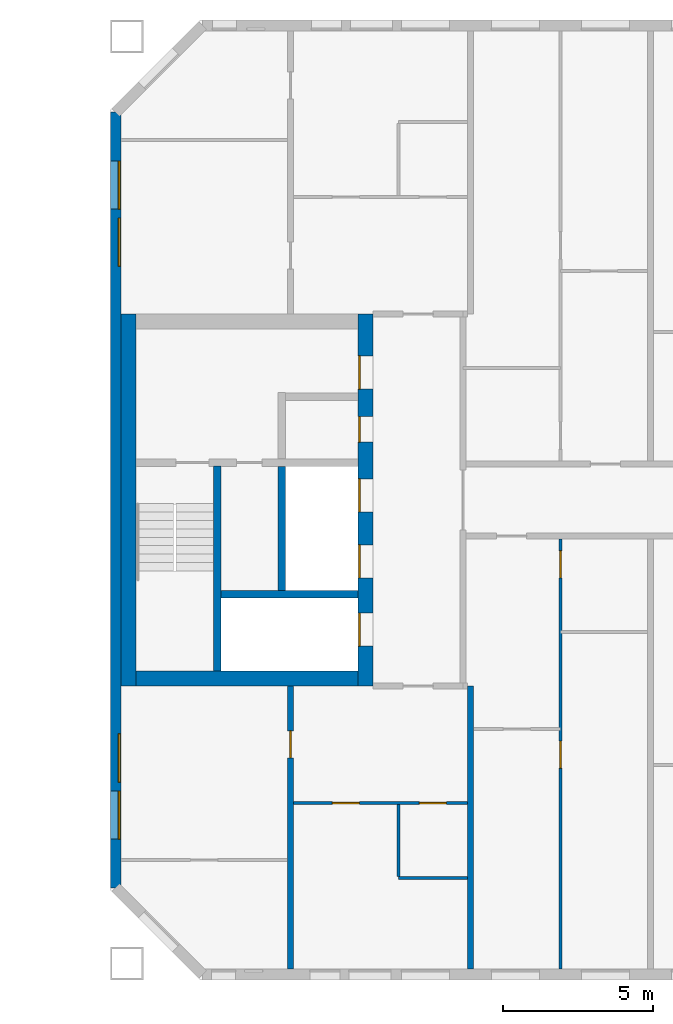
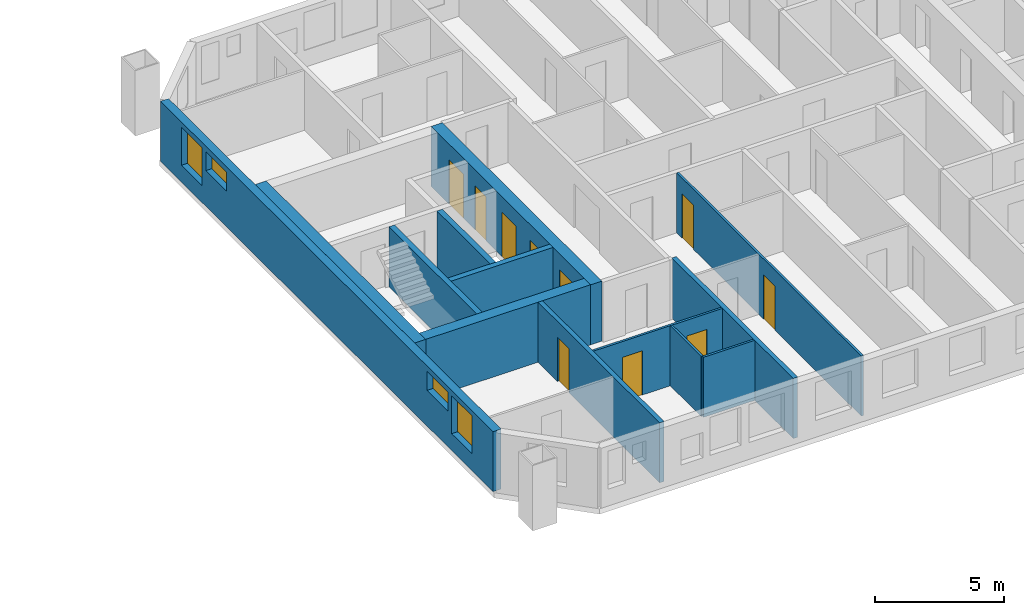
# One storey, part 9 of 16: 13 walls, 10 doors, 4 windows, 14 openings.
"""IFC4 building model written with IfcOpenShell, lengths in metres."""

import ifcopenshell
import ifcopenshell.guid

model = None  # the IFC model being written
_history = None  # IfcOwnerHistory: only IFC2X3 demands one
_inside = {}  # id of a spatial element -> (the spatial element, [elements in it])
_under = {}  # id of a project, library or spatial element -> (it, [spatial elements below it])
_declared = {}  # id of a project -> (the project, [libraries it declares])
_typed = {}  # id of a type object -> (the type object, [elements of that type])
_made_of = {}  # id of a material, layer set ... -> (it, [elements and type objects made of it])


def new_model(schema):
    """Start an empty IFC model of exactly this schema.

    Asked for "IFC4X3", IfcOpenShell would pick the latest addendum, in which some entities
    have other attributes; the version numbers below select the first issue.
    IFC2X3 requires an IfcOwnerHistory on every rooted entity: one is made here for all.
    """
    global model, _history
    if schema == "IFC4X3":
        model = ifcopenshell.file(schema_version=(4, 3, 0, 0))
    else:
        model = ifcopenshell.file(schema=schema)
    _inside.clear()
    _under.clear()
    _declared.clear()
    _typed.clear()
    _made_of.clear()
    _history = None
    if model.schema == "IFC2X3":
        org = make("IfcOrganization", Name="unknown")
        user = make(
            "IfcPersonAndOrganization",
            ThePerson=make("IfcPerson", FamilyName="unknown"),
            TheOrganization=org,
        )
        app = make(
            "IfcApplication",
            ApplicationDeveloper=org,
            Version="unknown",
            ApplicationFullName="unknown",
            ApplicationIdentifier="unknown",
        )
        _history = make(
            "IfcOwnerHistory",
            OwningUser=user,
            OwningApplication=app,
            ChangeAction="ADDED",
            CreationDate=0,
        )
    return model


def make(cls, **values):
    """One entity of the class cls with the attributes given. An attribute that is None is left unset."""
    return model.create_entity(
        cls, **{name: value for name, value in values.items() if value is not None}
    )


def rooted(cls, **values):
    """An entity with a GlobalId (a new one), such as an element, a storey or a relation."""
    return make(cls, GlobalId=ifcopenshell.guid.new(), OwnerHistory=_history, **values)


def si_unit(unit_type, name, prefix=None):
    """IfcSIUnit, for example si_unit("LENGTHUNIT", "METRE", prefix="MILLI")."""
    return make("IfcSIUnit", UnitType=unit_type, Prefix=prefix, Name=name)


def assignment(units):
    """IfcUnitAssignment: the units of a project."""
    return None if units is None else make("IfcUnitAssignment", Units=units)


def point(xyz):
    """IfcCartesianPoint."""
    return None if xyz is None else make("IfcCartesianPoint", Coordinates=xyz)


def direction(xyz):
    """IfcDirection."""
    return None if xyz is None else make("IfcDirection", DirectionRatios=xyz)


def frame(location, z_axis=None, x_axis=None):
    """IfcAxis2Placement3D, a coordinate frame: its origin and axes. An axis left out is left unset."""
    return make(
        "IfcAxis2Placement3D",
        Location=point(location),
        Axis=direction(z_axis),
        RefDirection=direction(x_axis),
    )


def frame_2d(location, x_axis=None):
    """IfcAxis2Placement2D, a coordinate frame in the plane: its origin and x axis."""
    return make(
        "IfcAxis2Placement2D", Location=point(location), RefDirection=direction(x_axis)
    )


def origin():
    """The frame at (0, 0, 0) with its axes left unset."""
    return frame((0.0, 0.0, 0.0))


def place(relative_to, where):
    """IfcLocalPlacement: puts the frame where relative to a parent placement (None: the world)."""
    return make(
        "IfcLocalPlacement", PlacementRelTo=relative_to, RelativePlacement=where
    )


def context(
    kind, dimensions, precision=None, world=None, true_north=None, identifier=None
):
    """IfcGeometricRepresentationContext, for example the 3D "Model" context."""
    return make(
        "IfcGeometricRepresentationContext",
        ContextIdentifier=identifier,
        ContextType=kind,
        CoordinateSpaceDimension=dimensions,
        Precision=precision,
        WorldCoordinateSystem=world,
        TrueNorth=true_north,
    )


def subcontext(parent, identifier, kind, view, scale=None):
    """IfcGeometricRepresentationSubContext, for example "Body" below "Model"."""
    return make(
        "IfcGeometricRepresentationSubContext",
        ContextIdentifier=identifier,
        ContextType=kind,
        ParentContext=parent,
        TargetScale=scale,
        TargetView=view,
    )


def project(units=None, contexts=None):
    """IfcProject with its units and contexts."""
    return rooted(
        "IfcProject",
        Name="project",
        RepresentationContexts=contexts,
        UnitsInContext=assignment(units),
    )


def spatial(cls, under=None, at=None, **own):
    """A site, building, storey or space (cls), placed at a placement, below another one or the project."""
    s = rooted(cls, ObjectPlacement=at, **own)
    if under is not None:
        _under.setdefault(under.id(), (under, []))[1].append(s)
    return s


def profile(cls, at=None, kind="AREA", **sizes):
    """A parametric profile (cls). Its sizes go by their IFC names, for example OverallWidth=200.0."""
    return make(cls, ProfileType=kind, Position=at, **sizes)


def rectangle(**sizes):
    """IfcRectangleProfileDef."""
    return profile("IfcRectangleProfileDef", **sizes)


def extrude(swept, where, along, depth):
    """IfcExtrudedAreaSolid: the profile swept, set in the frame where, extruded along a direction by depth."""
    return make(
        "IfcExtrudedAreaSolid",
        SweptArea=swept,
        Position=where,
        ExtrudedDirection=direction(along),
        Depth=depth,
    )


def shape(context_of_items, identifier, shape_type, items):
    """IfcShapeRepresentation: the items that make up one representation, for example the "Body"."""
    return make(
        "IfcShapeRepresentation",
        ContextOfItems=context_of_items,
        RepresentationIdentifier=identifier,
        RepresentationType=shape_type,
        Items=items,
    )


def material(Name=None, Category=None):
    """IfcMaterial."""
    return make("IfcMaterial", Name=Name, Category=Category)


def layer(
    of_material, thickness, ventilated=None, Name=None, Category=None, Priority=None
):
    """IfcMaterialLayer: one layer of a wall or slab, of a material (None: an air gap)."""
    return make(
        "IfcMaterialLayer",
        Material=of_material,
        LayerThickness=thickness,
        IsVentilated=ventilated,
        Name=Name,
        Category=Category,
        Priority=Priority,
    )


def layer_set(layers, Name=None):
    """IfcMaterialLayerSet."""
    return make("IfcMaterialLayerSet", MaterialLayers=layers, LayerSetName=Name)


def made_of(thing, what):
    """Note that an element or type object is made of a material, layer set ...; save() writes the relation."""
    if what is not None:
        _made_of.setdefault(what.id(), (what, []))[1].append(thing)
    return thing


def type_object(cls, material=None, **own):
    """A type object (cls), such as IfcWallType, which elements share."""
    return made_of(rooted(cls, **own), material)


def element(
    cls,
    number,
    at=None,
    inside=None,
    cuts=None,
    type_object=None,
    material=None,
    context=None,
    identifier="Body",
    shape_type=None,
    held_by="IfcProductDefinitionShape",
    body=None,
    shapes=None,
    **own,
):
    """One element of the class cls, such as IfcWall. Its Tag is "e" and its number.

    at: its placement. inside: the storey or other place that contains it. cuts: it is an
    opening in that element (IfcRelVoidsElement). A single representation is given by context,
    identifier, shape_type and body (its items); several are given by shapes. held_by: the class
    of the entity that holds the representations. save() writes the other relations.
    """
    e = rooted(cls, Tag="e%d" % number, ObjectPlacement=at, **own)
    if body is not None:
        shapes = [shape(context, identifier, shape_type, body)]
    if shapes is not None:
        e.Representation = make(held_by, Representations=shapes)
    if inside is not None:
        _inside.setdefault(inside.id(), (inside, []))[1].append(e)
    if cuts is not None:
        rooted(
            "IfcRelVoidsElement", RelatingBuildingElement=cuts, RelatedOpeningElement=e
        )
    if type_object is not None:
        _typed.setdefault(type_object.id(), (type_object, []))[1].append(e)
    return made_of(e, material)


def fill(opening, filler):
    """IfcRelFillsElement: the door or window that sits in an opening."""
    return rooted(
        "IfcRelFillsElement",
        RelatingOpeningElement=opening,
        RelatedBuildingElement=filler,
    )


def aggregate(whole, parts):
    """IfcRelAggregates: a whole, such as a stair, and the parts it consists of."""
    return rooted("IfcRelAggregates", RelatingObject=whole, RelatedObjects=parts)


def save(model, path):
    """Write the relations noted so far, then the file.

    IfcRelAggregates (storeys below a building ...), IfcRelContainedInSpatialStructure (elements
    in a storey), IfcRelDefinesByType, IfcRelAssociatesMaterial and IfcRelDeclares: one each for
    every whole, place, type object, material and project.
    """
    for whole, parts in _under.values():
        aggregate(whole, parts)
    for where, things in _inside.values():
        rooted(
            "IfcRelContainedInSpatialStructure",
            RelatedElements=things,
            RelatingStructure=where,
        )
    for kind, things in _typed.values():
        rooted("IfcRelDefinesByType", RelatedObjects=things, RelatingType=kind)
    for what, things in _made_of.values():
        rooted("IfcRelAssociatesMaterial", RelatedObjects=things, RelatingMaterial=what)
    for by, libraries in _declared.values():
        rooted("IfcRelDeclares", RelatingContext=by, RelatedDefinitions=libraries)
    model.write(path)


model = new_model("IFC4")

# Units and contexts
model_context = context("Model", 3, precision=1e-05, world=origin(), true_north=direction((0.0, 1.0)))
body_context = subcontext(model_context, "Body", "Model", "MODEL_VIEW")
ifc_project = project(units=[si_unit("LENGTHUNIT", "METRE"), si_unit("AREAUNIT", "SQUARE_METRE"), si_unit("VOLUMEUNIT", "CUBIC_METRE"), si_unit("PLANEANGLEUNIT", "RADIAN"), si_unit("MASSUNIT", "GRAM", prefix="KILO")], contexts=[model_context])

# Site, building, storey
site_placement = place(None, origin())
site = spatial("IfcSite", under=ifc_project, at=site_placement, CompositionType="ELEMENT")
building_placement = place(site_placement, origin())
building = spatial("IfcBuilding", under=site, at=building_placement, Name="Tuart Gate Housing", CompositionType="ELEMENT")
storey_placement = place(building_placement, frame((0.0, 0.0, 151.60009765625)))
storey = spatial("IfcBuildingStorey", under=building, at=storey_placement, Name="L42", CompositionType="ELEMENT", Elevation=151.60009765625)

# Wall, openings, windows
ifc_material_1 = material(Name="Brick", Category="masonry")
ifc_layer_1 = layer(ifc_material_1, 0.360107421875)
ifc_layer_set_1 = layer_set([ifc_layer_1], Name="Brick pier and spandrel wall 360")
wall_type_1 = type_object("IfcWallType", Name="Brick pier and spandrel wall 360", PredefinedType="STANDARD", material=ifc_layer_set_1)
wall_1_placement = place(storey_placement, frame((131.179931640625, 82.92529296875, 0.0), z_axis=(0.0, 0.0, 1.0), x_axis=(0.0, -1.0, 0.0)))
wall_1 = element("IfcWall", 1, at=wall_1_placement, inside=storey, type_object=wall_type_1, Name="External wall B-W L42", PredefinedType="STANDARD", context=body_context, shape_type="SweptSolid", body=[
    extrude(rectangle(XDim=25.850830078125, YDim=0.360107421875, at=frame_2d((12.92529296875, 0.0))), origin(), (0.0, 0.0, 1.0), 2.849853515625),
])
opening_1_placement = place(wall_1_placement, frame((1.62548828125, 0.0, 0.800048828125)))
opening_1 = element("IfcOpeningElement", 2, at=opening_1_placement, cuts=wall_1, Name="Opening W1", PredefinedType="OPENING", context=body_context, shape_type="SweptSolid", body=[
    extrude(rectangle(XDim=1.60009765625, YDim=1.800048828125, at=frame_2d((0.800048828125, 0.89990234375))), frame((0.0, 0.18994140625, 0.0), z_axis=(0.0, -1.0, 0.0), x_axis=(1.0, 0.0, 0.0)), (0.0, 0.0, 1.0), 0.380126953125),
])
opening_2_placement = place(wall_1_placement, frame((3.525390625, 0.0, 1.699951171875)))
opening_2 = element("IfcOpeningElement", 3, at=opening_2_placement, cuts=wall_1, Name="Opening W1R", PredefinedType="OPENING", context=body_context, shape_type="SweptSolid", body=[
    extrude(rectangle(XDim=1.60009765625, YDim=0.89990234375, at=frame_2d((0.800048828125, 0.449951171875))), frame((0.0, 0.18994140625, 0.0), z_axis=(0.0, -1.0, 0.0), x_axis=(1.0, 0.0, 0.0)), (0.0, 0.0, 1.0), 0.380126953125),
])
opening_3_placement = place(wall_1_placement, frame((20.725341796875, 0.0, 1.699951171875)))
opening_3 = element("IfcOpeningElement", 4, at=opening_3_placement, cuts=wall_1, Name="Opening W1R", PredefinedType="OPENING", context=body_context, shape_type="SweptSolid", body=[
    extrude(rectangle(XDim=1.60009765625, YDim=0.89990234375, at=frame_2d((0.800048828125, 0.449951171875))), frame((0.0, 0.18994140625, 0.0), z_axis=(0.0, -1.0, 0.0), x_axis=(1.0, 0.0, 0.0)), (0.0, 0.0, 1.0), 0.380126953125),
])
opening_4_placement = place(wall_1_placement, frame((22.62548828125, 0.0, 0.800048828125)))
opening_4 = element("IfcOpeningElement", 5, at=opening_4_placement, cuts=wall_1, Name="Opening W1", PredefinedType="OPENING", context=body_context, shape_type="SweptSolid", body=[
    extrude(rectangle(XDim=1.60009765625, YDim=1.800048828125, at=frame_2d((0.800048828125, 0.89990234375))), frame((0.0, 0.18994140625, 0.0), z_axis=(0.0, -1.0, 0.0), x_axis=(1.0, 0.0, 0.0)), (0.0, 0.0, 1.0), 0.380126953125),
])
ifc_material_2 = material(Name="Aluminium frame with clear glass", Category="aluminium")
window_type_1 = type_object("IfcWindowType", Name="Punched window 1600 x 1800", PartitioningType="SINGLE_PANEL", PredefinedType="WINDOW", material=ifc_material_2)
window_1_placement = place(opening_1_placement, origin())
window_1 = element("IfcWindow", 6, at=window_1_placement, inside=storey, type_object=window_type_1, Name="Window W1", OverallHeight=1.800048828125, OverallWidth=1.60009765625, PartitioningType="SINGLE_PANEL", PredefinedType="WINDOW", context=body_context, shape_type="SweptSolid", body=[
    extrude(rectangle(XDim=1.60009765625, YDim=1.800048828125, at=frame_2d((0.800048828125, 0.89990234375))), frame((0.0, 0.150146484375, 0.0), z_axis=(0.0, -1.0, 0.0), x_axis=(1.0, 0.0, 0.0)), (0.0, 0.0, 1.0), 0.06005859375),
])
fill(opening_1, window_1)
window_2_placement = place(opening_4_placement, origin())
window_2 = element("IfcWindow", 7, at=window_2_placement, inside=storey, type_object=window_type_1, Name="Window W1", OverallHeight=1.800048828125, OverallWidth=1.60009765625, PartitioningType="SINGLE_PANEL", PredefinedType="WINDOW", context=body_context, shape_type="SweptSolid", body=[
    extrude(rectangle(XDim=1.60009765625, YDim=1.800048828125, at=frame_2d((0.800048828125, 0.89990234375))), frame((0.0, 0.150146484375, 0.0), z_axis=(0.0, -1.0, 0.0), x_axis=(1.0, 0.0, 0.0)), (0.0, 0.0, 1.0), 0.06005859375),
])
fill(opening_4, window_2)
ifc_material_3 = material(Name="Aluminium frame with clear glass", Category="aluminium")
window_type_2 = type_object("IfcWindowType", Name="Punched window 1600 x 900", PartitioningType="SINGLE_PANEL", PredefinedType="WINDOW", material=ifc_material_3)
window_3_placement = place(opening_2_placement, origin())
window_3 = element("IfcWindow", 8, at=window_3_placement, inside=storey, type_object=window_type_2, Name="Window W1R", OverallHeight=0.89990234375, OverallWidth=1.60009765625, PartitioningType="SINGLE_PANEL", PredefinedType="WINDOW", context=body_context, shape_type="SweptSolid", body=[
    extrude(rectangle(XDim=1.60009765625, YDim=0.89990234375, at=frame_2d((0.800048828125, 0.449951171875))), frame((0.0, 0.150146484375, 0.0), z_axis=(0.0, -1.0, 0.0), x_axis=(1.0, 0.0, 0.0)), (0.0, 0.0, 1.0), 0.06005859375),
])
fill(opening_2, window_3)
window_4_placement = place(opening_3_placement, origin())
window_4 = element("IfcWindow", 9, at=window_4_placement, inside=storey, type_object=window_type_2, Name="Window W1R", OverallHeight=0.89990234375, OverallWidth=1.60009765625, PartitioningType="SINGLE_PANEL", PredefinedType="WINDOW", context=body_context, shape_type="SweptSolid", body=[
    extrude(rectangle(XDim=1.60009765625, YDim=0.89990234375, at=frame_2d((0.800048828125, 0.449951171875))), frame((0.0, 0.150146484375, 0.0), z_axis=(0.0, -1.0, 0.0), x_axis=(1.0, 0.0, 0.0)), (0.0, 0.0, 1.0), 0.06005859375),
])
fill(opening_3, window_4)

# Walls
ifc_material_4 = material(Name="Concrete C40", Category="concrete")
ifc_layer_2 = layer(ifc_material_4, 0.25)
ifc_layer_set_2 = layer_set([ifc_layer_2], Name="Core wall 250 C40")
wall_type_2 = type_object("IfcWallType", Name="Core wall 250 C40", PredefinedType="SHEAR", material=ifc_layer_set_2)
wall_2_placement = place(storey_placement, frame((139.260009765625, 66.85009765625, 0.0), z_axis=(0.0, 0.0, 1.0), x_axis=(-1.0, 0.0, 0.0)))
element("IfcWall", 10, at=wall_2_placement, inside=storey, type_object=wall_type_2, Name="Core wall BG.1", PredefinedType="SHEAR", context=body_context, shape_type="SweptSolid", body=[
    extrude(rectangle(XDim=4.574951171875, YDim=0.25, at=frame_2d((2.28759765625, 0.0))), origin(), (0.0, 0.0, 1.0), 2.849853515625),
])
wall_3_placement = place(storey_placement, frame((136.7099609375, 66.97509765625, 0.0), z_axis=(0.0, 0.0, 1.0), x_axis=(0.0, 1.0, 0.0)))
element("IfcWall", 11, at=wall_3_placement, inside=storey, type_object=wall_type_2, Name="Core wall BG.4", PredefinedType="SHEAR", context=body_context, shape_type="SweptSolid", body=[
    extrude(rectangle(XDim=4.14990234375, YDim=0.25, at=frame_2d((2.074951171875, 0.0))), origin(), (0.0, 0.0, 1.0), 2.849853515625),
])
wall_4_placement = place(storey_placement, frame((134.56005859375, 64.300048828125, 0.0), z_axis=(0.0, 0.0, 1.0), x_axis=(0.0, 1.0, 0.0)))
element("IfcWall", 12, at=wall_4_placement, inside=storey, type_object=wall_type_2, Name="Core wall BG.6", PredefinedType="SHEAR", context=body_context, shape_type="SweptSolid", body=[
    extrude(rectangle(XDim=6.824951171875, YDim=0.25, at=frame_2d((3.41259765625, 0.0))), origin(), (0.0, 0.0, 1.0), 2.849853515625),
])

# Wall, openings, doors
ifc_material_5 = material(Name="Concrete C40", Category="concrete")
ifc_layer_3 = layer(ifc_material_5, 0.5)
ifc_layer_set_3 = layer_set([ifc_layer_3], Name="Core wall 500 C40")
wall_type_3 = type_object("IfcWallType", Name="Core wall 500 C40", PredefinedType="SHEAR", material=ifc_layer_set_3)
wall_5_placement = place(storey_placement, frame((139.510009765625, 63.800048828125, 0.0), z_axis=(0.0, 0.0, 1.0), x_axis=(0.0, 1.0, 0.0)))
wall_5 = element("IfcWall", 13, at=wall_5_placement, inside=storey, type_object=wall_type_3, Name="Core wall BG front", PredefinedType="SHEAR", context=body_context, shape_type="SweptSolid", body=[
    extrude(rectangle(XDim=12.39990234375, YDim=0.5, at=frame_2d((6.199951171875, 0.0))), origin(), (0.0, 0.0, 1.0), 2.849853515625),
])
opening_5_placement = place(wall_5_placement, frame((1.324951171875, 0.0, 0.0)))
opening_5 = element("IfcOpeningElement", 14, at=opening_5_placement, cuts=wall_5, Name="Opening LD-FB1", PredefinedType="OPENING", context=body_context, shape_type="SweptSolid", body=[
    extrude(rectangle(XDim=1.10009765625, YDim=2.10009765625, at=frame_2d((0.550048828125, 1.050048828125))), frame((0.0, 0.260009765625, 0.0), z_axis=(0.0, -1.0, 0.0), x_axis=(1.0, 0.0, 0.0)), (0.0, 0.0, 1.0), 0.52001953125),
])
opening_6_placement = place(wall_5_placement, frame((3.60009765625, 0.0, 0.0)))
opening_6 = element("IfcOpeningElement", 15, at=opening_6_placement, cuts=wall_5, Name="Opening LD-LB1", PredefinedType="OPENING", context=body_context, shape_type="SweptSolid", body=[
    extrude(rectangle(XDim=1.10009765625, YDim=2.10009765625, at=frame_2d((0.550048828125, 1.050048828125))), frame((0.0, 0.260009765625, 0.0), z_axis=(0.0, -1.0, 0.0), x_axis=(1.0, 0.0, 0.0)), (0.0, 0.0, 1.0), 0.52001953125),
])
opening_7_placement = place(wall_5_placement, frame((5.800048828125, 0.0, 0.0)))
opening_7 = element("IfcOpeningElement", 16, at=opening_7_placement, cuts=wall_5, Name="Opening LD-LB2", PredefinedType="OPENING", context=body_context, shape_type="SweptSolid", body=[
    extrude(rectangle(XDim=1.10009765625, YDim=2.10009765625, at=frame_2d((0.550048828125, 1.050048828125))), frame((0.0, 0.260009765625, 0.0), z_axis=(0.0, -1.0, 0.0), x_axis=(1.0, 0.0, 0.0)), (0.0, 0.0, 1.0), 0.52001953125),
])
opening_8_placement = place(wall_5_placement, frame((9.89990234375, 0.0, 0.0)))
opening_8 = element("IfcOpeningElement", 17, at=opening_8_placement, cuts=wall_5, Name="Opening D1594", PredefinedType="OPENING", context=body_context, shape_type="SweptSolid", body=[
    extrude(rectangle(XDim=1.10009765625, YDim=2.10009765625, at=frame_2d((0.550048828125, 1.050048828125))), frame((0.0, 0.260009765625, 0.0), z_axis=(0.0, -1.0, 0.0), x_axis=(1.0, 0.0, 0.0)), (0.0, 0.0, 1.0), 0.52001953125),
])
opening_9_placement = place(wall_5_placement, frame((8.125, 0.0, 0.0)))
opening_9 = element("IfcOpeningElement", 18, at=opening_9_placement, cuts=wall_5, Name="Opening D1595", PredefinedType="OPENING", context=body_context, shape_type="SweptSolid", body=[
    extrude(rectangle(XDim=0.85009765625, YDim=2.10009765625, at=frame_2d((0.425048828125, 1.050048828125))), frame((0.0, 0.260009765625, 0.0), z_axis=(0.0, -1.0, 0.0), x_axis=(1.0, 0.0, 0.0)), (0.0, 0.0, 1.0), 0.52001953125),
])
ifc_material_6 = material(Name="Stainless steel", Category="steel")
door_type_1 = type_object("IfcDoorType", Name="Landing door 1100 x 2100", OperationType="DOUBLE_DOOR_SLIDING", PredefinedType="DOOR", material=ifc_material_6)
door_1_placement = place(opening_5_placement, origin())
door_1 = element("IfcDoor", 19, at=door_1_placement, inside=storey, type_object=door_type_1, Name="Lift landing door FB1", OperationType="DOUBLE_DOOR_SLIDING", OverallHeight=2.10009765625, OverallWidth=1.10009765625, PredefinedType="DOOR", context=body_context, shape_type="SweptSolid", body=[
    extrude(rectangle(XDim=1.10009765625, YDim=2.10009765625, at=frame_2d((0.550048828125, 1.050048828125))), frame((0.0, 0.23486328125, 0.0), z_axis=(0.0, -1.0, 0.0), x_axis=(1.0, 0.0, 0.0)), (0.0, 0.0, 1.0), 0.050048828125),
])
fill(opening_5, door_1)
door_2_placement = place(opening_6_placement, origin())
door_2 = element("IfcDoor", 20, at=door_2_placement, inside=storey, type_object=door_type_1, Name="Lift landing door LB1", OperationType="DOUBLE_DOOR_SLIDING", OverallHeight=2.10009765625, OverallWidth=1.10009765625, PredefinedType="DOOR", context=body_context, shape_type="SweptSolid", body=[
    extrude(rectangle(XDim=1.10009765625, YDim=2.10009765625, at=frame_2d((0.550048828125, 1.050048828125))), frame((0.0, 0.23486328125, 0.0), z_axis=(0.0, -1.0, 0.0), x_axis=(1.0, 0.0, 0.0)), (0.0, 0.0, 1.0), 0.050048828125),
])
fill(opening_6, door_2)
door_3_placement = place(opening_7_placement, origin())
door_3 = element("IfcDoor", 21, at=door_3_placement, inside=storey, type_object=door_type_1, Name="Lift landing door LB2", OperationType="DOUBLE_DOOR_SLIDING", OverallHeight=2.10009765625, OverallWidth=1.10009765625, PredefinedType="DOOR", context=body_context, shape_type="SweptSolid", body=[
    extrude(rectangle(XDim=1.10009765625, YDim=2.10009765625, at=frame_2d((0.550048828125, 1.050048828125))), frame((0.0, 0.23486328125, 0.0), z_axis=(0.0, -1.0, 0.0), x_axis=(1.0, 0.0, 0.0)), (0.0, 0.0, 1.0), 0.050048828125),
])
fill(opening_7, door_3)
ifc_material_7 = material(Name="Steel fire door", Category="steel")
door_type_2 = type_object("IfcDoorType", Name="Lobby door 1100 x 2100", OperationType="SINGLE_SWING_LEFT", PredefinedType="DOOR", material=ifc_material_7)
door_4_placement = place(opening_8_placement, origin())
door_4 = element("IfcDoor", 22, at=door_4_placement, inside=storey, type_object=door_type_2, Name="Lobby entry door BG.EN", OperationType="SINGLE_SWING_LEFT", OverallHeight=2.10009765625, OverallWidth=1.10009765625, PredefinedType="DOOR", context=body_context, shape_type="SweptSolid", body=[
    extrude(rectangle(XDim=1.10009765625, YDim=2.10009765625, at=frame_2d((0.550048828125, 1.050048828125))), frame((0.0, 0.23486328125, 0.0), z_axis=(0.0, -1.0, 0.0), x_axis=(1.0, 0.0, 0.0)), (0.0, 0.0, 1.0), 0.050048828125),
])
fill(opening_8, door_4)
ifc_material_8 = material(Name="Steel fire door", Category="steel")
door_type_3 = type_object("IfcDoorType", Name="Service door 850 x 2100", OperationType="SINGLE_SWING_LEFT", PredefinedType="DOOR", material=ifc_material_8)
door_5_placement = place(opening_9_placement, origin())
door_5 = element("IfcDoor", 23, at=door_5_placement, inside=storey, type_object=door_type_3, Name="Service room door BG.T1", OperationType="SINGLE_SWING_LEFT", OverallHeight=2.10009765625, OverallWidth=0.85009765625, PredefinedType="DOOR", context=body_context, shape_type="SweptSolid", body=[
    extrude(rectangle(XDim=0.85009765625, YDim=2.10009765625, at=frame_2d((0.425048828125, 1.050048828125))), frame((0.0, 0.23486328125, 0.0), z_axis=(0.0, -1.0, 0.0), x_axis=(1.0, 0.0, 0.0)), (0.0, 0.0, 1.0), 0.050048828125),
])
fill(opening_9, door_5)

# Walls
wall_6_placement = place(storey_placement, frame((131.610107421875, 63.800048828125, 0.0), z_axis=(0.0, 0.0, 1.0), x_axis=(0.0, 1.0, 0.0)))
element("IfcWall", 24, at=wall_6_placement, inside=storey, type_object=wall_type_3, Name="Core wall BG back", PredefinedType="SHEAR", context=body_context, shape_type="SweptSolid", body=[
    extrude(rectangle(XDim=12.39990234375, YDim=0.5, at=frame_2d((6.199951171875, 0.0))), origin(), (0.0, 0.0, 1.0), 2.849853515625),
])
wall_7_placement = place(storey_placement, frame((139.260009765625, 64.050048828125, 0.0), z_axis=(0.0, 0.0, 1.0), x_axis=(-1.0, 0.0, 0.0)))
element("IfcWall", 25, at=wall_7_placement, inside=storey, type_object=wall_type_3, Name="Core wall BG south", PredefinedType="SHEAR", context=body_context, shape_type="SweptSolid", body=[
    extrude(rectangle(XDim=7.39990234375, YDim=0.5, at=frame_2d((3.699951171875, 0.0))), origin(), (0.0, 0.0, 1.0), 2.849853515625),
])
ifc_material_9 = material(Name="Gypsum board on steel studs", Category="steel")
ifc_layer_4 = layer(ifc_material_9, 0.10009765625)
ifc_layer_set_4 = layer_set([ifc_layer_4], Name="Partition 100")
wall_type_4 = type_object("IfcWallType", Name="Partition 100", PredefinedType="PARTITIONING", material=ifc_layer_set_4)
wall_8_placement = place(storey_placement, frame((140.60009765625, 57.39990234375, 0.0), z_axis=(0.0, 0.0, 1.0), x_axis=(1.0, 0.0, 0.0)))
element("IfcWall", 26, at=wall_8_placement, inside=storey, type_object=wall_type_4, Name="Partition 100", PredefinedType="PARTITIONING", context=body_context, shape_type="SweptSolid", body=[
    extrude(rectangle(XDim=2.2998046875, YDim=0.10009765625, at=frame_2d((1.14990234375, 0.0))), origin(), (0.0, 0.0, 1.0), 2.849853515625),
])

# Wall, openings, doors
wall_9_placement = place(storey_placement, frame((137.10009765625, 59.89990234375, 0.0), z_axis=(0.0, 0.0, 1.0), x_axis=(1.0, 0.0, 0.0)))
wall_9 = element("IfcWall", 27, at=wall_9_placement, inside=storey, type_object=wall_type_4, Name="Partition 100", PredefinedType="PARTITIONING", context=body_context, shape_type="SweptSolid", body=[
    extrude(rectangle(XDim=5.7998046875, YDim=0.10009765625, at=frame_2d((2.89990234375, 0.0))), origin(), (0.0, 0.0, 1.0), 2.849853515625),
])
opening_10_placement = place(wall_9_placement, frame((1.300048828125, 0.0, 0.0)))
opening_10 = element("IfcOpeningElement", 28, at=opening_10_placement, cuts=wall_9, Name="Opening D1617", PredefinedType="OPENING", context=body_context, shape_type="SweptSolid", body=[
    extrude(rectangle(XDim=0.89990234375, YDim=2.10009765625, at=frame_2d((0.449951171875, 1.050048828125))), frame((0.0, 0.06005859375, 0.0), z_axis=(0.0, -1.0, 0.0), x_axis=(1.0, 0.0, 0.0)), (0.0, 0.0, 1.0), 0.1201171875),
])
opening_11_placement = place(wall_9_placement, frame((4.199951171875, 0.0, 0.0)))
opening_11 = element("IfcOpeningElement", 29, at=opening_11_placement, cuts=wall_9, Name="Opening D1616", PredefinedType="OPENING", context=body_context, shape_type="SweptSolid", body=[
    extrude(rectangle(XDim=0.89990234375, YDim=2.10009765625, at=frame_2d((0.449951171875, 1.050048828125))), frame((0.0, 0.06005859375, 0.0), z_axis=(0.0, -1.0, 0.0), x_axis=(1.0, 0.0, 0.0)), (0.0, 0.0, 1.0), 0.1201171875),
])
ifc_material_10 = material(Name="Timber door leaf in steel frame", Category="steel")
door_type_4 = type_object("IfcDoorType", Name="Bathroom door 900 RH", OperationType="SINGLE_SWING_RIGHT", PredefinedType="DOOR", material=ifc_material_10)
door_6_placement = place(opening_11_placement, frame((0.89990234375, 0.0, 0.0), z_axis=(0.0, 0.0, 1.0), x_axis=(-1.0, 0.0, 0.0)))
door_6 = element("IfcDoor", 30, at=door_6_placement, inside=storey, type_object=door_type_4, Name="Bathroom door", OperationType="SINGLE_SWING_RIGHT", OverallHeight=2.10009765625, OverallWidth=0.89990234375, PredefinedType="DOOR", context=body_context, shape_type="SweptSolid", body=[
    extrude(rectangle(XDim=0.89990234375, YDim=2.10009765625, at=frame_2d((0.449951171875, 1.050048828125))), frame((0.0, 0.025146484375, 0.0), z_axis=(0.0, -1.0, 0.0), x_axis=(1.0, 0.0, 0.0)), (0.0, 0.0, 1.0), 0.050048828125),
])
fill(opening_11, door_6)
ifc_material_11 = material(Name="Timber door leaf in steel frame", Category="steel")
door_type_5 = type_object("IfcDoorType", Name="Internal door 900", OperationType="SINGLE_SWING_LEFT", PredefinedType="DOOR", material=ifc_material_11)
door_7_placement = place(opening_10_placement, frame((0.89990234375, 0.0, 0.0), z_axis=(0.0, 0.0, 1.0), x_axis=(-1.0, 0.0, 0.0)))
door_7 = element("IfcDoor", 31, at=door_7_placement, inside=storey, type_object=door_type_5, Name="Internal door", OperationType="SINGLE_SWING_LEFT", OverallHeight=2.10009765625, OverallWidth=0.89990234375, PredefinedType="DOOR", context=body_context, shape_type="SweptSolid", body=[
    extrude(rectangle(XDim=0.89990234375, YDim=2.10009765625, at=frame_2d((0.449951171875, 1.050048828125))), frame((0.0, 0.025146484375, 0.0), z_axis=(0.0, -1.0, 0.0), x_axis=(1.0, 0.0, 0.0)), (0.0, 0.0, 1.0), 0.050048828125),
])
fill(opening_10, door_7)

# Wall
wall_10_placement = place(storey_placement, frame((140.60009765625, 57.449951171875, 0.0), z_axis=(0.0, 0.0, 1.0), x_axis=(0.0, 1.0, 0.0)))
element("IfcWall", 32, at=wall_10_placement, inside=storey, type_object=wall_type_4, Name="Partition 100", PredefinedType="PARTITIONING", context=body_context, shape_type="SweptSolid", body=[
    extrude(rectangle(XDim=2.400146484375, YDim=0.10009765625, at=frame_2d((1.2001953125, 0.0))), origin(), (0.0, 0.0, 1.0), 2.849853515625),
])

# Wall, openings, doors
wall_11_placement = place(storey_placement, frame((146.0, 54.360107421875, 0.0), z_axis=(0.0, 0.0, 1.0), x_axis=(0.0, 1.0, 0.0)))
wall_11 = element("IfcWall", 33, at=wall_11_placement, inside=storey, type_object=wall_type_4, Name="Partition 100", PredefinedType="PARTITIONING", context=body_context, shape_type="SweptSolid", body=[
    extrude(rectangle(XDim=14.33984375, YDim=0.10009765625, at=frame_2d((7.169921875, 0.0))), origin(), (0.0, 0.0, 1.0), 2.849853515625),
])
opening_12_placement = place(wall_11_placement, frame((6.699951171875, 0.0, 0.0)))
opening_12 = element("IfcOpeningElement", 34, at=opening_12_placement, cuts=wall_11, Name="Opening D1610", PredefinedType="OPENING", context=body_context, shape_type="SweptSolid", body=[
    extrude(rectangle(XDim=0.89990234375, YDim=2.10009765625, at=frame_2d((0.449951171875, 1.050048828125))), frame((0.0, 0.06005859375, 0.0), z_axis=(0.0, -1.0, 0.0), x_axis=(1.0, 0.0, 0.0)), (0.0, 0.0, 1.0), 0.1201171875),
])
opening_13_placement = place(wall_11_placement, frame((13.0400390625, 0.0, 0.0)))
opening_13 = element("IfcOpeningElement", 35, at=opening_13_placement, cuts=wall_11, Name="Opening D1609", PredefinedType="OPENING", context=body_context, shape_type="SweptSolid", body=[
    extrude(rectangle(XDim=0.89990234375, YDim=2.10009765625, at=frame_2d((0.449951171875, 1.050048828125))), frame((0.0, 0.06005859375, 0.0), z_axis=(0.0, -1.0, 0.0), x_axis=(1.0, 0.0, 0.0)), (0.0, 0.0, 1.0), 0.1201171875),
])
ifc_material_12 = material(Name="Timber door leaf in steel frame", Category="steel")
door_type_6 = type_object("IfcDoorType", Name="Bathroom door 900", OperationType="SINGLE_SWING_LEFT", PredefinedType="DOOR", material=ifc_material_12)
door_8_placement = place(opening_13_placement, frame((0.89990234375, 0.0, 0.0), z_axis=(0.0, 0.0, 1.0), x_axis=(-1.0, 0.0, 0.0)))
door_8 = element("IfcDoor", 36, at=door_8_placement, inside=storey, type_object=door_type_6, Name="Bathroom door", OperationType="SINGLE_SWING_LEFT", OverallHeight=2.10009765625, OverallWidth=0.89990234375, PredefinedType="DOOR", context=body_context, shape_type="SweptSolid", body=[
    extrude(rectangle(XDim=0.89990234375, YDim=2.10009765625, at=frame_2d((0.449951171875, 1.050048828125))), frame((0.0, 0.025146484375, 0.0), z_axis=(0.0, -1.0, 0.0), x_axis=(1.0, 0.0, 0.0)), (0.0, 0.0, 1.0), 0.050048828125),
])
fill(opening_13, door_8)
door_9_placement = place(opening_12_placement, frame((0.89990234375, 0.0, 0.0), z_axis=(0.0, 0.0, 1.0), x_axis=(-1.0, 0.0, 0.0)))
door_9 = element("IfcDoor", 37, at=door_9_placement, inside=storey, type_object=door_type_5, Name="Internal door", OperationType="SINGLE_SWING_LEFT", OverallHeight=2.10009765625, OverallWidth=0.89990234375, PredefinedType="DOOR", context=body_context, shape_type="SweptSolid", body=[
    extrude(rectangle(XDim=0.89990234375, YDim=2.10009765625, at=frame_2d((0.449951171875, 1.050048828125))), frame((0.0, 0.025146484375, 0.0), z_axis=(0.0, -1.0, 0.0), x_axis=(1.0, 0.0, 0.0)), (0.0, 0.0, 1.0), 0.050048828125),
])
fill(opening_12, door_9)

# Wall, opening, door
ifc_material_13 = material(Name="Concrete C40", Category="concrete")
ifc_layer_5 = layer(ifc_material_13, 0.199951171875)
ifc_layer_set_5 = layer_set([ifc_layer_5], Name="Party wall concrete C40 200")
wall_type_5 = type_object("IfcWallType", Name="Party wall concrete C40 200", PredefinedType="SOLIDWALL", material=ifc_layer_set_5)
wall_12_placement = place(storey_placement, frame((137.0, 54.360107421875, 0.0), z_axis=(0.0, 0.0, 1.0), x_axis=(0.0, 1.0, 0.0)))
wall_12 = element("IfcWall", 38, at=wall_12_placement, inside=storey, type_object=wall_type_5, Name="Party wall concrete C40 200", PredefinedType="SOLIDWALL", context=body_context, shape_type="SweptSolid", body=[
    extrude(rectangle(XDim=9.43994140625, YDim=0.199951171875, at=frame_2d((4.719970703125, 0.0))), origin(), (0.0, 0.0, 1.0), 2.849853515625),
])
opening_14_placement = place(wall_12_placement, frame((7.0400390625, 0.0, 0.0)))
opening_14 = element("IfcOpeningElement", 39, at=opening_14_placement, cuts=wall_12, Name="Opening D1619", PredefinedType="OPENING", context=body_context, shape_type="SweptSolid", body=[
    extrude(rectangle(XDim=0.89990234375, YDim=2.10009765625, at=frame_2d((0.449951171875, 1.050048828125))), frame((0.0, 0.10986328125, 0.0), z_axis=(0.0, -1.0, 0.0), x_axis=(1.0, 0.0, 0.0)), (0.0, 0.0, 1.0), 0.219970703125),
])
ifc_material_14 = material(Name="Timber door leaf in steel frame", Category="steel")
door_type_7 = type_object("IfcDoorType", Name="Internal door 900 RH", OperationType="SINGLE_SWING_RIGHT", PredefinedType="DOOR", material=ifc_material_14)
door_10_placement = place(opening_14_placement, frame((0.89990234375, 0.0, 0.0), z_axis=(0.0, 0.0, 1.0), x_axis=(-1.0, 0.0, 0.0)))
door_10 = element("IfcDoor", 40, at=door_10_placement, inside=storey, type_object=door_type_7, Name="Internal door", OperationType="SINGLE_SWING_RIGHT", OverallHeight=2.10009765625, OverallWidth=0.89990234375, PredefinedType="DOOR", context=body_context, shape_type="SweptSolid", body=[
    extrude(rectangle(XDim=0.89990234375, YDim=2.10009765625, at=frame_2d((0.449951171875, 1.050048828125))), frame((0.0, 0.025146484375, 0.0), z_axis=(0.0, -1.0, 0.0), x_axis=(1.0, 0.0, 0.0)), (0.0, 0.0, 1.0), 0.050048828125),
])
fill(opening_14, door_10)

# Wall
wall_13_placement = place(storey_placement, frame((143.0, 54.360107421875, 0.0), z_axis=(0.0, 0.0, 1.0), x_axis=(0.0, 1.0, 0.0)))
element("IfcWall", 41, at=wall_13_placement, inside=storey, type_object=wall_type_5, Name="Party wall concrete C40 200", PredefinedType="SOLIDWALL", context=body_context, shape_type="SweptSolid", body=[
    extrude(rectangle(XDim=9.43994140625, YDim=0.199951171875, at=frame_2d((4.719970703125, 0.0))), origin(), (0.0, 0.0, 1.0), 2.849853515625),
])

save(model, "model.ifc")
